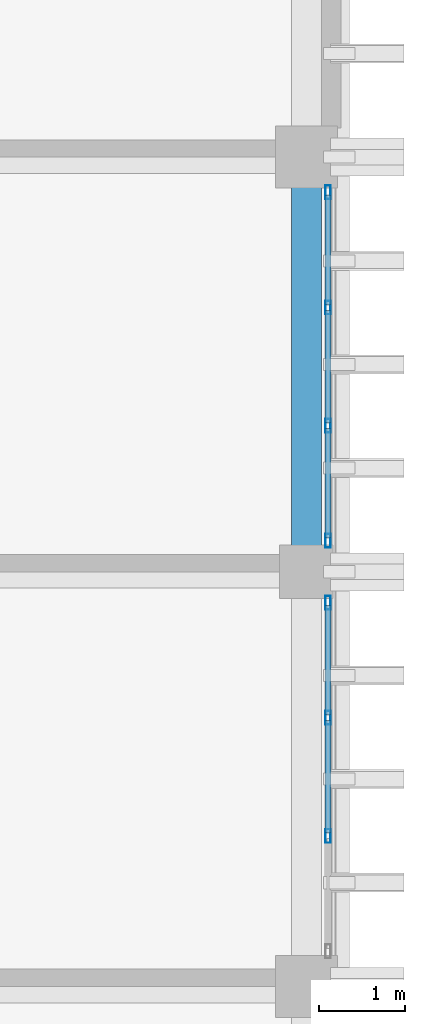
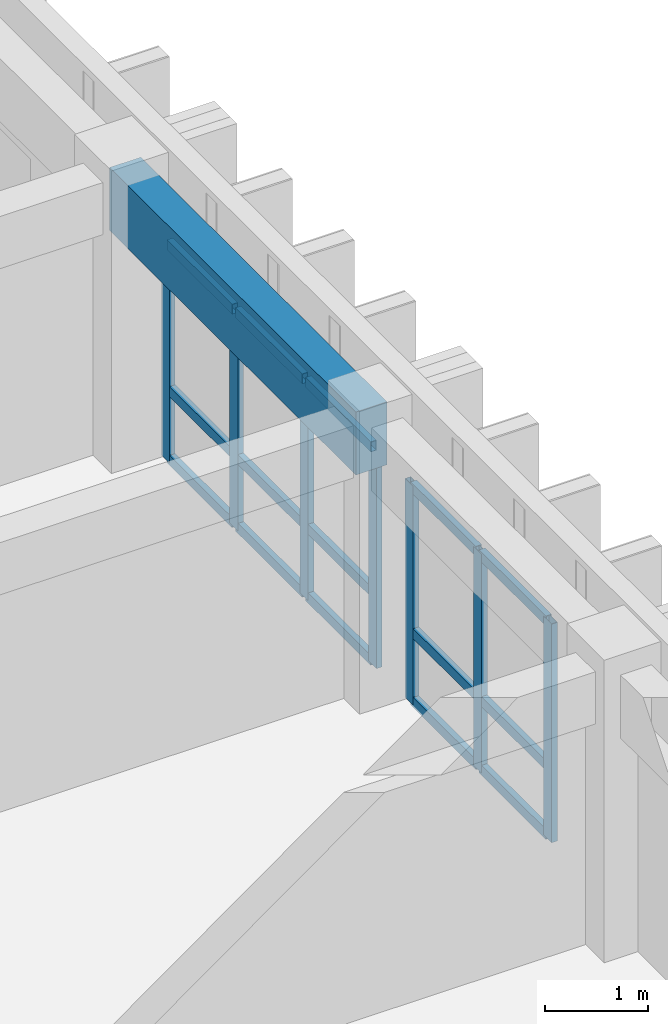
# One storey, part 39 of 59: 22 members, 1 beam, 2 elements without a shape of their own.
"""IFC4 building model written with IfcOpenShell, lengths in metres."""

from ifc_helpers import new_model, si_unit, direction, frame, origin, origin_2d, place, context, subcontext, project, spatial, rectangle, hollow_rectangle, extrude, material, layer, layer_set, material_profile, profile_set, type_object, element, aggregate, save


model = new_model("IFC4")

# Units and contexts
model_context = context("Model", 3, precision=1e-05, world=origin(), true_north=direction((0.0, 1.0)))
body_context = subcontext(model_context, "Body", "Model", "MODEL_VIEW")
ifc_project = project(units=[si_unit("LENGTHUNIT", "METRE"), si_unit("AREAUNIT", "SQUARE_METRE"), si_unit("VOLUMEUNIT", "CUBIC_METRE"), si_unit("PLANEANGLEUNIT", "RADIAN"), si_unit("MASSUNIT", "GRAM", prefix="KILO")], contexts=[model_context])

# Site, building, storey
site_placement = place(None, origin())
site = spatial("IfcSite", under=ifc_project, at=site_placement, CompositionType="ELEMENT")
building_placement = place(site_placement, origin())
building = spatial("IfcBuilding", under=site, at=building_placement, Name="Nakhvara Creek Congress Hotel", CompositionType="ELEMENT")
storey_placement = place(building_placement, frame((0.0, 0.0, 31.800048828125)))
storey = spatial("IfcBuildingStorey", under=building, at=storey_placement, Name="L07", CompositionType="ELEMENT", Elevation=31.800048828125)

# Beam
ifc_material_1 = material(Name="Concrete C40/50", Category="concrete")
ifc_material_profile_1 = material_profile(ifc_material_1, rectangle(XDim=0.35009765625, YDim=0.75, at=origin_2d()), Name="RC-SPANDREL 350x750", Category="LoadBearing")
ifc_profile_set_1 = profile_set([ifc_material_profile_1], Name="Concrete C40/50")
beam_type = type_object("IfcBeamType", Name="BM-SPN-350X750", PredefinedType="SPANDREL", material=ifc_profile_set_1)
beam_placement = place(storey_placement, frame((179.35009765625, 110.39990234375, 2.98486328125), z_axis=(0.0, 1.0, 0.0), x_axis=(-1.0, 0.0, 0.0)))
element("IfcBeam", 1, at=beam_placement, inside=storey, type_object=beam_type, Name="Beam SP1-L07-2404", PredefinedType="SPANDREL", context=body_context, shape_type="SweptSolid", body=[
    extrude(rectangle(XDim=0.35009765625, YDim=0.75, at=origin_2d()), origin(), (0.0, 0.0, 1.0), 4.800048828125),
])

# Curtain wall, members
ifc_material_2 = material(Name="Bronze-anodised aluminium AW-6063-T6 and double-silver low-E glass", Category="aluminium")
ifc_layer = layer(ifc_material_2, 0.199951171875)
ifc_layer_set = layer_set([ifc_layer], Name="Bronze-anodised aluminium AW-6063-T6 and double-silver low-E glass")
curtain_wall_type = type_object("IfcCurtainWallType", Name="CW-HTL-UNIT", PredefinedType="USERDEFINED", material=ifc_layer_set)
curtain_wall_1_placement = place(storey_placement, origin())
curtain_wall_1 = element("IfcCurtainWall", 2, at=curtain_wall_1_placement, inside=storey, type_object=curtain_wall_type, Name="Curtain Wall CW269", ObjectType="UNITISED", PredefinedType="USERDEFINED")
ifc_material_3 = material(Name="Bronze-anodised aluminium AW-6063-T6", Category="aluminium")
ifc_material_profile_2 = material_profile(ifc_material_3, hollow_rectangle(XDim=0.06494140625, YDim=0.159912109375, WallThickness=0.00390625, at=origin_2d()), Name="ALU-MULL 65x160x4", Category="LoadBearing")
ifc_profile_set_2 = profile_set([ifc_material_profile_2], Name="Bronze-anodised aluminium AW-6063-T6")
member_type_1 = type_object("IfcMemberType", Name="CW-MULL-160", PredefinedType="MULLION", material=ifc_profile_set_2)
member_1_placement = place(storey_placement, frame((179.60009765625, 110.04248046875, 0.0), z_axis=(0.0, 0.0, 1.0), x_axis=(1.0, 0.0, 0.0)))
member_1 = element("IfcMember", 3, at=member_1_placement, type_object=member_type_1, Name="CW269 mullion 1", PredefinedType="MULLION", context=body_context, shape_type="SweptSolid", body=[
    extrude(hollow_rectangle(XDim=0.06494140625, YDim=0.159912109375, WallThickness=0.00390625, at=origin_2d()), origin(), (0.0, 0.0, 1.0), 2.60205078125),
])
member_2_placement = place(storey_placement, frame((179.60009765625, 108.708251953125, 0.0), z_axis=(0.0, 0.0, 1.0), x_axis=(1.0, 0.0, 0.0)))
member_2 = element("IfcMember", 4, at=member_2_placement, type_object=member_type_1, Name="CW269 mullion 2", PredefinedType="MULLION", context=body_context, shape_type="SweptSolid", body=[
    extrude(hollow_rectangle(XDim=0.06494140625, YDim=0.159912109375, WallThickness=0.00390625, at=origin_2d()), origin(), (0.0, 0.0, 1.0), 2.60205078125),
])
member_3_placement = place(storey_placement, frame((179.60009765625, 107.341552734375, 0.0), z_axis=(0.0, 0.0, 1.0), x_axis=(1.0, 0.0, 0.0)))
member_3 = element("IfcMember", 5, at=member_3_placement, type_object=member_type_1, Name="CW269 mullion 3", PredefinedType="MULLION", context=body_context, shape_type="SweptSolid", body=[
    extrude(hollow_rectangle(XDim=0.06494140625, YDim=0.159912109375, WallThickness=0.00390625, at=origin_2d()), origin(), (0.0, 0.0, 1.0), 2.60205078125),
])

curtain_wall_2_placement = place(storey_placement, origin())
curtain_wall_2 = element("IfcCurtainWall", 6, at=curtain_wall_2_placement, inside=storey, type_object=curtain_wall_type, Name="Curtain Wall CW271", ObjectType="UNITISED", PredefinedType="USERDEFINED")
member_4_placement = place(storey_placement, frame((179.60009765625, 114.79248046875, 0.0), z_axis=(0.0, 0.0, 1.0), x_axis=(1.0, 0.0, 0.0)))
member_4 = element("IfcMember", 7, at=member_4_placement, type_object=member_type_1, Name="CW271 mullion 1", PredefinedType="MULLION", context=body_context, shape_type="SweptSolid", body=[
    extrude(hollow_rectangle(XDim=0.06494140625, YDim=0.159912109375, WallThickness=0.00390625, at=origin_2d()), origin(), (0.0, 0.0, 1.0), 2.60205078125),
])
member_5_placement = place(storey_placement, frame((179.60009765625, 113.458251953125, 0.0), z_axis=(0.0, 0.0, 1.0), x_axis=(1.0, 0.0, 0.0)))
member_5 = element("IfcMember", 8, at=member_5_placement, type_object=member_type_1, Name="CW271 mullion 2", PredefinedType="MULLION", context=body_context, shape_type="SweptSolid", body=[
    extrude(hollow_rectangle(XDim=0.06494140625, YDim=0.159912109375, WallThickness=0.00390625, at=origin_2d()), origin(), (0.0, 0.0, 1.0), 2.60205078125),
])
member_6_placement = place(storey_placement, frame((179.60009765625, 112.091552734375, 0.0), z_axis=(0.0, 0.0, 1.0), x_axis=(1.0, 0.0, 0.0)))
member_6 = element("IfcMember", 9, at=member_6_placement, type_object=member_type_1, Name="CW271 mullion 3", PredefinedType="MULLION", context=body_context, shape_type="SweptSolid", body=[
    extrude(hollow_rectangle(XDim=0.06494140625, YDim=0.159912109375, WallThickness=0.00390625, at=origin_2d()), origin(), (0.0, 0.0, 1.0), 2.60205078125),
])
member_7_placement = place(storey_placement, frame((179.60009765625, 110.757568359375, 0.0), z_axis=(0.0, 0.0, 1.0), x_axis=(1.0, 0.0, 0.0)))
member_7 = element("IfcMember", 10, at=member_7_placement, type_object=member_type_1, Name="CW271 mullion 4", PredefinedType="MULLION", context=body_context, shape_type="SweptSolid", body=[
    extrude(hollow_rectangle(XDim=0.06494140625, YDim=0.159912109375, WallThickness=0.00390625, at=origin_2d()), origin(), (0.0, 0.0, 1.0), 2.60205078125),
])

# Member
ifc_material_profile_3 = material_profile(ifc_material_3, hollow_rectangle(XDim=0.06494140625, YDim=0.1201171875, WallThickness=0.00390625, at=origin_2d()), Name="ALU-TRAN 65x120x4", Category="LoadBearing")
ifc_profile_set_3 = profile_set([ifc_material_profile_3], Name="Bronze-anodised aluminium AW-6063-T6")
member_type_2 = type_object("IfcMemberType", Name="CW-TRAN-120", PredefinedType="USERDEFINED", material=ifc_profile_set_3)
member_8_placement = place(storey_placement, frame((179.60009765625, 110.010009765625, 0.032470703125), z_axis=(0.0, -1.0, 0.0), x_axis=(1.0, 0.0, 0.0)))
member_8 = element("IfcMember", 11, at=member_8_placement, type_object=member_type_2, Name="CW269 transom 1.1", ObjectType="TRANSOM", PredefinedType="USERDEFINED", context=body_context, shape_type="SweptSolid", body=[
    extrude(hollow_rectangle(XDim=0.06494140625, YDim=0.1201171875, WallThickness=0.00390625, at=origin_2d()), origin(), (0.0, 0.0, 1.0), 1.269287109375),
])

member_9_placement = place(storey_placement, frame((179.60009765625, 110.010009765625, 0.849853515625), z_axis=(0.0, -1.0, 0.0), x_axis=(1.0, 0.0, 0.0)))
member_9 = element("IfcMember", 12, at=member_9_placement, type_object=member_type_2, Name="CW269 transom 1.2", ObjectType="TRANSOM", PredefinedType="USERDEFINED", context=body_context, shape_type="SweptSolid", body=[
    extrude(hollow_rectangle(XDim=0.06494140625, YDim=0.1201171875, WallThickness=0.00390625, at=origin_2d()), origin(), (0.0, 0.0, 1.0), 1.269287109375),
])

member_10_placement = place(storey_placement, frame((179.60009765625, 110.010009765625, 2.5693359375), z_axis=(0.0, -1.0, 0.0), x_axis=(1.0, 0.0, 0.0)))
member_10 = element("IfcMember", 13, at=member_10_placement, type_object=member_type_2, Name="CW269 transom 1.3", ObjectType="TRANSOM", PredefinedType="USERDEFINED", context=body_context, shape_type="SweptSolid", body=[
    extrude(hollow_rectangle(XDim=0.06494140625, YDim=0.1201171875, WallThickness=0.00390625, at=origin_2d()), origin(), (0.0, 0.0, 1.0), 1.269287109375),
])

member_11_placement = place(storey_placement, frame((179.60009765625, 108.67578125, 0.032470703125), z_axis=(0.0, -1.0, 0.0), x_axis=(1.0, 0.0, 0.0)))
member_11 = element("IfcMember", 14, at=member_11_placement, type_object=member_type_2, Name="CW269 transom 2.1", ObjectType="TRANSOM", PredefinedType="USERDEFINED", context=body_context, shape_type="SweptSolid", body=[
    extrude(hollow_rectangle(XDim=0.06494140625, YDim=0.1201171875, WallThickness=0.00390625, at=origin_2d()), origin(), (0.0, 0.0, 1.0), 1.301513671875),
])

member_12_placement = place(storey_placement, frame((179.60009765625, 108.67578125, 0.849853515625), z_axis=(0.0, -1.0, 0.0), x_axis=(1.0, 0.0, 0.0)))
member_12 = element("IfcMember", 15, at=member_12_placement, type_object=member_type_2, Name="CW269 transom 2.2", ObjectType="TRANSOM", PredefinedType="USERDEFINED", context=body_context, shape_type="SweptSolid", body=[
    extrude(hollow_rectangle(XDim=0.06494140625, YDim=0.1201171875, WallThickness=0.00390625, at=origin_2d()), origin(), (0.0, 0.0, 1.0), 1.301513671875),
])

member_13_placement = place(storey_placement, frame((179.60009765625, 108.67578125, 2.5693359375), z_axis=(0.0, -1.0, 0.0), x_axis=(1.0, 0.0, 0.0)))
member_13 = element("IfcMember", 16, at=member_13_placement, type_object=member_type_2, Name="CW269 transom 2.3", ObjectType="TRANSOM", PredefinedType="USERDEFINED", context=body_context, shape_type="SweptSolid", body=[
    extrude(hollow_rectangle(XDim=0.06494140625, YDim=0.1201171875, WallThickness=0.00390625, at=origin_2d()), origin(), (0.0, 0.0, 1.0), 1.301513671875),
])

aggregate(curtain_wall_1, [member_1, member_2, member_3, member_8, member_9, member_10, member_11, member_12, member_13])

member_14_placement = place(storey_placement, frame((179.60009765625, 114.760009765625, 0.032470703125), z_axis=(0.0, -1.0, 0.0), x_axis=(1.0, 0.0, 0.0)))
member_14 = element("IfcMember", 17, at=member_14_placement, type_object=member_type_2, Name="CW271 transom 1.1", ObjectType="TRANSOM", PredefinedType="USERDEFINED", context=body_context, shape_type="SweptSolid", body=[
    extrude(hollow_rectangle(XDim=0.06494140625, YDim=0.1201171875, WallThickness=0.00390625, at=origin_2d()), origin(), (0.0, 0.0, 1.0), 1.269287109375),
])

member_15_placement = place(storey_placement, frame((179.60009765625, 114.760009765625, 0.849853515625), z_axis=(0.0, -1.0, 0.0), x_axis=(1.0, 0.0, 0.0)))
member_15 = element("IfcMember", 18, at=member_15_placement, type_object=member_type_2, Name="CW271 transom 1.2", ObjectType="TRANSOM", PredefinedType="USERDEFINED", context=body_context, shape_type="SweptSolid", body=[
    extrude(hollow_rectangle(XDim=0.06494140625, YDim=0.1201171875, WallThickness=0.00390625, at=origin_2d()), origin(), (0.0, 0.0, 1.0), 1.269287109375),
])

member_16_placement = place(storey_placement, frame((179.60009765625, 114.760009765625, 2.5693359375), z_axis=(0.0, -1.0, 0.0), x_axis=(1.0, 0.0, 0.0)))
member_16 = element("IfcMember", 19, at=member_16_placement, type_object=member_type_2, Name="CW271 transom 1.3", ObjectType="TRANSOM", PredefinedType="USERDEFINED", context=body_context, shape_type="SweptSolid", body=[
    extrude(hollow_rectangle(XDim=0.06494140625, YDim=0.1201171875, WallThickness=0.00390625, at=origin_2d()), origin(), (0.0, 0.0, 1.0), 1.269287109375),
])

member_17_placement = place(storey_placement, frame((179.60009765625, 113.42578125, 0.032470703125), z_axis=(0.0, -1.0, 0.0), x_axis=(1.0, 0.0, 0.0)))
member_17 = element("IfcMember", 20, at=member_17_placement, type_object=member_type_2, Name="CW271 transom 2.1", ObjectType="TRANSOM", PredefinedType="USERDEFINED", context=body_context, shape_type="SweptSolid", body=[
    extrude(hollow_rectangle(XDim=0.06494140625, YDim=0.1201171875, WallThickness=0.00390625, at=origin_2d()), origin(), (0.0, 0.0, 1.0), 1.301513671875),
])

member_18_placement = place(storey_placement, frame((179.60009765625, 113.42578125, 0.849853515625), z_axis=(0.0, -1.0, 0.0), x_axis=(1.0, 0.0, 0.0)))
member_18 = element("IfcMember", 21, at=member_18_placement, type_object=member_type_2, Name="CW271 transom 2.2", ObjectType="TRANSOM", PredefinedType="USERDEFINED", context=body_context, shape_type="SweptSolid", body=[
    extrude(hollow_rectangle(XDim=0.06494140625, YDim=0.1201171875, WallThickness=0.00390625, at=origin_2d()), origin(), (0.0, 0.0, 1.0), 1.301513671875),
])

member_19_placement = place(storey_placement, frame((179.60009765625, 113.42578125, 2.5693359375), z_axis=(0.0, -1.0, 0.0), x_axis=(1.0, 0.0, 0.0)))
member_19 = element("IfcMember", 22, at=member_19_placement, type_object=member_type_2, Name="CW271 transom 2.3", ObjectType="TRANSOM", PredefinedType="USERDEFINED", context=body_context, shape_type="SweptSolid", body=[
    extrude(hollow_rectangle(XDim=0.06494140625, YDim=0.1201171875, WallThickness=0.00390625, at=origin_2d()), origin(), (0.0, 0.0, 1.0), 1.301513671875),
])

member_20_placement = place(storey_placement, frame((179.60009765625, 112.05908203125, 0.032470703125), z_axis=(0.0, -1.0, 0.0), x_axis=(1.0, 0.0, 0.0)))
member_20 = element("IfcMember", 23, at=member_20_placement, type_object=member_type_2, Name="CW271 transom 3.1", ObjectType="TRANSOM", PredefinedType="USERDEFINED", context=body_context, shape_type="SweptSolid", body=[
    extrude(hollow_rectangle(XDim=0.06494140625, YDim=0.1201171875, WallThickness=0.00390625, at=origin_2d()), origin(), (0.0, 0.0, 1.0), 1.26904296875),
])

member_21_placement = place(storey_placement, frame((179.60009765625, 112.05908203125, 0.849853515625), z_axis=(0.0, -1.0, 0.0), x_axis=(1.0, 0.0, 0.0)))
member_21 = element("IfcMember", 24, at=member_21_placement, type_object=member_type_2, Name="CW271 transom 3.2", ObjectType="TRANSOM", PredefinedType="USERDEFINED", context=body_context, shape_type="SweptSolid", body=[
    extrude(hollow_rectangle(XDim=0.06494140625, YDim=0.1201171875, WallThickness=0.00390625, at=origin_2d()), origin(), (0.0, 0.0, 1.0), 1.26904296875),
])

member_22_placement = place(storey_placement, frame((179.60009765625, 112.05908203125, 2.5693359375), z_axis=(0.0, -1.0, 0.0), x_axis=(1.0, 0.0, 0.0)))
member_22 = element("IfcMember", 25, at=member_22_placement, type_object=member_type_2, Name="CW271 transom 3.3", ObjectType="TRANSOM", PredefinedType="USERDEFINED", context=body_context, shape_type="SweptSolid", body=[
    extrude(hollow_rectangle(XDim=0.06494140625, YDim=0.1201171875, WallThickness=0.00390625, at=origin_2d()), origin(), (0.0, 0.0, 1.0), 1.26904296875),
])

aggregate(curtain_wall_2, [member_4, member_5, member_6, member_7, member_14, member_15, member_16, member_17, member_18, member_19, member_20, member_21, member_22])

save(model, "model.ifc")
